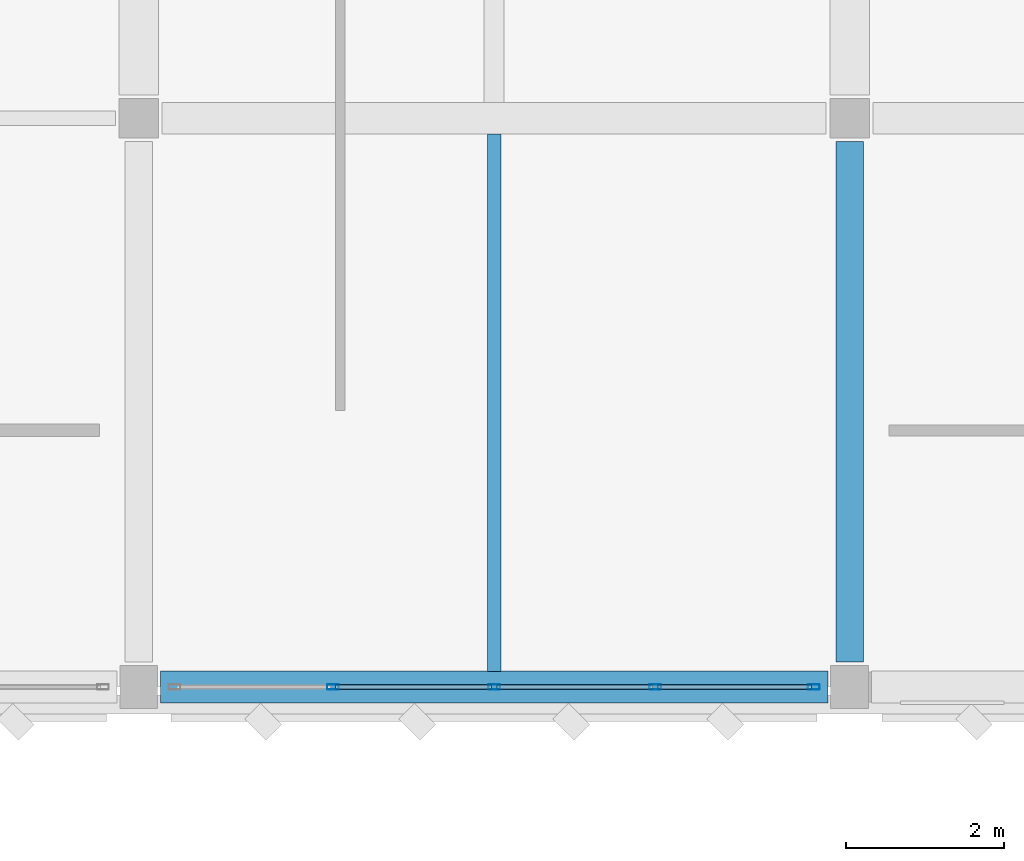
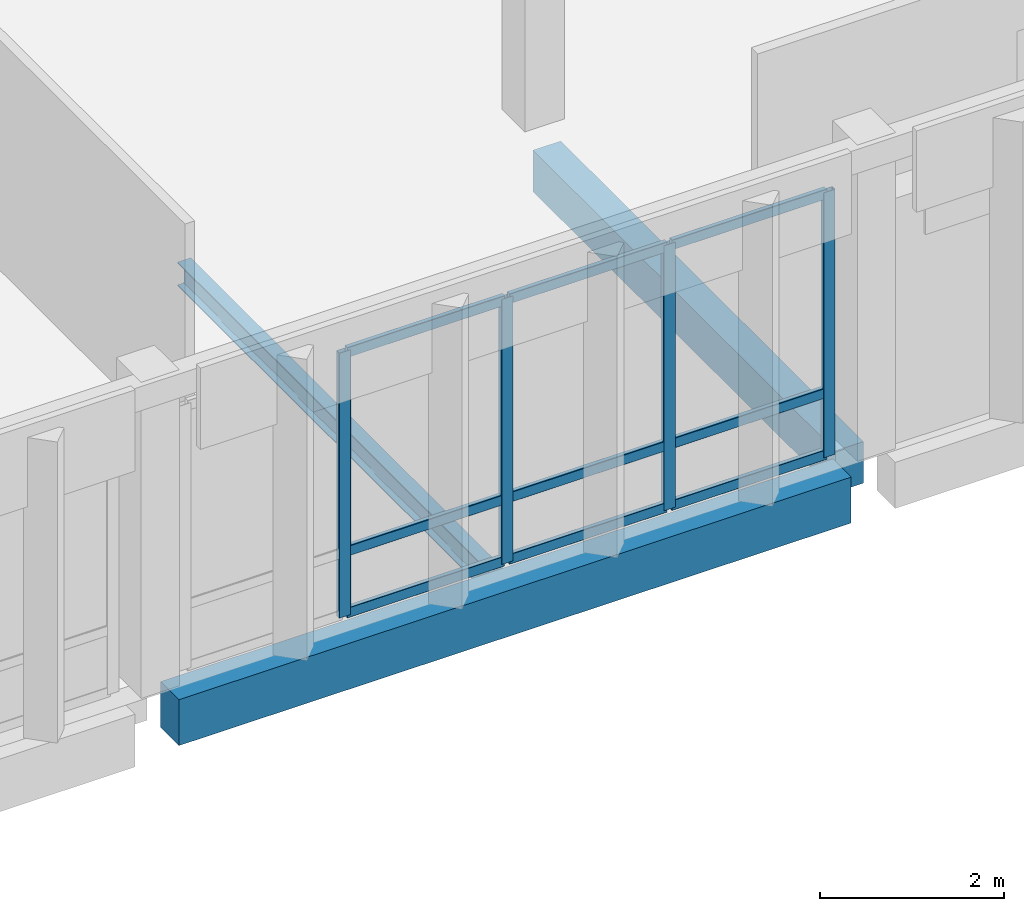
# One storey, part 35 of 72: 13 members, 3 beams, 1 element without a shape of its own.
"""IFC4 building model written with IfcOpenShell, lengths in metres."""

from ifc_helpers import new_model, si_unit, direction, frame, origin, origin_2d, place, context, subcontext, project, spatial, rectangle, hollow_rectangle, i_section, extrude, material, material_profile, profile_set, type_object, element, aggregate, save


model = new_model("IFC4")

# Units and contexts
model_context = context("Model", 3, precision=1e-05, world=origin(), true_north=direction((0.0, 1.0)))
body_context = subcontext(model_context, "Body", "Model", "MODEL_VIEW")
ifc_project = project(units=[si_unit("LENGTHUNIT", "METRE"), si_unit("AREAUNIT", "SQUARE_METRE"), si_unit("VOLUMEUNIT", "CUBIC_METRE"), si_unit("PLANEANGLEUNIT", "RADIAN"), si_unit("MASSUNIT", "GRAM", prefix="KILO")], contexts=[model_context])

# Site, building, storey
site_placement = place(None, origin())
site = spatial("IfcSite", under=ifc_project, at=site_placement, CompositionType="ELEMENT")
building_placement = place(site_placement, origin())
building = spatial("IfcBuilding", under=site, at=building_placement, Name="Lusvemor Sports Hall", CompositionType="ELEMENT")
storey_placement = place(building_placement, frame((0.0, 0.0, 15.0)))
storey = spatial("IfcBuildingStorey", under=building, at=storey_placement, Name="L03", CompositionType="ELEMENT", Elevation=15.0)

# Beam
ifc_material_1 = material(Name="Concrete C40/50", Category="concrete")
ifc_material_profile_1 = material_profile(ifc_material_1, rectangle(XDim=0.35009765625, YDim=0.550048828125, at=origin_2d()), Name="RC350x550")
ifc_profile_set_1 = profile_set([ifc_material_profile_1], Name="Concrete C40/50")
beam_type_1 = type_object("IfcBeamType", Name="BEAM_RC_550", PredefinedType="BEAM", material=ifc_profile_set_1)
beam_1_placement = place(storey_placement, frame((84.60009765625, 97.51611328125, -0.514892578125), z_axis=(0.0, 1.0, 0.0), x_axis=(-1.0, 0.0, 0.0)))
element("IfcBeam", 1, at=beam_1_placement, inside=storey, type_object=beam_type_1, Name="Beam L03 9:N-P", PredefinedType="BEAM", context=body_context, shape_type="SweptSolid", body=[
    extrude(rectangle(XDim=0.35009765625, YDim=0.550048828125, at=origin_2d()), origin(), (0.0, 0.0, 1.0), 6.587890625),
])

# Curtain wall, members
ifc_material_2 = material(Name="Thermally broken bronze-anodized aluminium", Category="aluminium")
curtain_wall_type = type_object("IfcCurtainWallType", Name="CW_WING_B", PredefinedType="NOTDEFINED", material=ifc_material_2)
curtain_wall_placement = place(storey_placement, origin())
curtain_wall = element("IfcCurtainWall", 2, at=curtain_wall_placement, inside=storey, type_object=curtain_wall_type, Name="Curtain Wall CW-L03-S-3-5", PredefinedType="NOTDEFINED")
ifc_material_3 = material(Name="Thermally broken bronze-anodized aluminium", Category="aluminium")
ifc_material_profile_2 = material_profile(ifc_material_3, hollow_rectangle(XDim=0.06494140625, YDim=0.14990234375, WallThickness=0.00390625, InnerFilletRadius=0.00390625, OuterFilletRadius=0.008056640625, at=origin_2d()), Name="CWMUL150x65x4")
ifc_profile_set_2 = profile_set([ifc_material_profile_2], Name="Thermally broken bronze-anodized aluminium")
member_type_1 = type_object("IfcMemberType", Name="CW_MUL_B", PredefinedType="MULLION", material=ifc_profile_set_2)
member_1_placement = place(storey_placement, frame((84.1474609375, 97.199951171875, 0.0), z_axis=(0.0, 0.0, 1.0), x_axis=(0.0, -1.0, 0.0)))
member_1 = element("IfcMember", 3, at=member_1_placement, type_object=member_type_1, Name="CW02 mullion 1", PredefinedType="MULLION", context=body_context, shape_type="SweptSolid", body=[
    extrude(hollow_rectangle(XDim=0.06494140625, YDim=0.14990234375, WallThickness=0.00390625, InnerFilletRadius=0.00390625, OuterFilletRadius=0.008056640625, at=origin_2d()), origin(), (0.0, 0.0, 1.0), 3.52001953125),
])
member_2_placement = place(storey_placement, frame((82.139892578125, 97.199951171875, 0.0), z_axis=(0.0, 0.0, 1.0), x_axis=(0.0, -1.0, 0.0)))
member_2 = element("IfcMember", 4, at=member_2_placement, type_object=member_type_1, Name="CW02 mullion 2", PredefinedType="MULLION", context=body_context, shape_type="SweptSolid", body=[
    extrude(hollow_rectangle(XDim=0.06494140625, YDim=0.14990234375, WallThickness=0.00390625, InnerFilletRadius=0.00390625, OuterFilletRadius=0.008056640625, at=origin_2d()), origin(), (0.0, 0.0, 1.0), 3.52001953125),
])
member_3_placement = place(storey_placement, frame((80.10009765625, 97.199951171875, 0.0), z_axis=(0.0, 0.0, 1.0), x_axis=(0.0, -1.0, 0.0)))
member_3 = element("IfcMember", 5, at=member_3_placement, type_object=member_type_1, Name="CW02 mullion 3", PredefinedType="MULLION", context=body_context, shape_type="SweptSolid", body=[
    extrude(hollow_rectangle(XDim=0.06494140625, YDim=0.14990234375, WallThickness=0.00390625, InnerFilletRadius=0.00390625, OuterFilletRadius=0.008056640625, at=origin_2d()), origin(), (0.0, 0.0, 1.0), 3.52001953125),
])
member_4_placement = place(storey_placement, frame((78.06005859375, 97.199951171875, 0.0), z_axis=(0.0, 0.0, 1.0), x_axis=(0.0, -1.0, 0.0)))
member_4 = element("IfcMember", 6, at=member_4_placement, type_object=member_type_1, Name="CW02 mullion 4", PredefinedType="MULLION", context=body_context, shape_type="SweptSolid", body=[
    extrude(hollow_rectangle(XDim=0.06494140625, YDim=0.14990234375, WallThickness=0.00390625, InnerFilletRadius=0.00390625, OuterFilletRadius=0.008056640625, at=origin_2d()), origin(), (0.0, 0.0, 1.0), 3.52001953125),
])
ifc_material_4 = material(Name="Thermally broken bronze-anodized aluminium", Category="aluminium")
ifc_material_profile_3 = material_profile(ifc_material_4, hollow_rectangle(XDim=0.06005859375, YDim=0.135009765625, WallThickness=0.00390625, InnerFilletRadius=0.00390625, OuterFilletRadius=0.008056640625, at=origin_2d()), Name="CWTRN135x60x4")
ifc_profile_set_3 = profile_set([ifc_material_profile_3], Name="Thermally broken bronze-anodized aluminium")
member_type_2 = type_object("IfcMemberType", Name="CW_TRN_B", PredefinedType="USERDEFINED", material=ifc_profile_set_3)
member_5_placement = place(storey_placement, frame((84.114990234375, 97.199951171875, 0.030029296875), z_axis=(-1.0, 0.0, 0.0), x_axis=(0.0, -1.0, 0.0)))
member_5 = element("IfcMember", 7, at=member_5_placement, type_object=member_type_2, Name="CW02 transom 1.1", ObjectType="TRANSOM", PredefinedType="USERDEFINED", context=body_context, shape_type="SweptSolid", body=[
    extrude(hollow_rectangle(XDim=0.06005859375, YDim=0.135009765625, WallThickness=0.00390625, InnerFilletRadius=0.00390625, OuterFilletRadius=0.008056640625, at=origin_2d()), origin(), (0.0, 0.0, 1.0), 1.9423828125),
])
member_6_placement = place(storey_placement, frame((84.114990234375, 97.199951171875, 0.85009765625), z_axis=(-1.0, 0.0, 0.0), x_axis=(0.0, -1.0, 0.0)))
member_6 = element("IfcMember", 8, at=member_6_placement, type_object=member_type_2, Name="CW02 transom 1.2", ObjectType="TRANSOM", PredefinedType="USERDEFINED", context=body_context, shape_type="SweptSolid", body=[
    extrude(hollow_rectangle(XDim=0.06005859375, YDim=0.135009765625, WallThickness=0.00390625, InnerFilletRadius=0.00390625, OuterFilletRadius=0.008056640625, at=origin_2d()), origin(), (0.0, 0.0, 1.0), 1.9423828125),
])
member_7_placement = place(storey_placement, frame((84.114990234375, 97.199951171875, 3.489990234375), z_axis=(-1.0, 0.0, 0.0), x_axis=(0.0, -1.0, 0.0)))
member_7 = element("IfcMember", 9, at=member_7_placement, type_object=member_type_2, Name="CW02 transom 1.3", ObjectType="TRANSOM", PredefinedType="USERDEFINED", context=body_context, shape_type="SweptSolid", body=[
    extrude(hollow_rectangle(XDim=0.06005859375, YDim=0.135009765625, WallThickness=0.00390625, InnerFilletRadius=0.00390625, OuterFilletRadius=0.008056640625, at=origin_2d()), origin(), (0.0, 0.0, 1.0), 1.9423828125),
])
member_8_placement = place(storey_placement, frame((82.107421875, 97.199951171875, 0.030029296875), z_axis=(-1.0, 0.0, 0.0), x_axis=(0.0, -1.0, 0.0)))
member_8 = element("IfcMember", 10, at=member_8_placement, type_object=member_type_2, Name="CW02 transom 2.1", ObjectType="TRANSOM", PredefinedType="USERDEFINED", context=body_context, shape_type="SweptSolid", body=[
    extrude(hollow_rectangle(XDim=0.06005859375, YDim=0.135009765625, WallThickness=0.00390625, InnerFilletRadius=0.00390625, OuterFilletRadius=0.008056640625, at=origin_2d()), origin(), (0.0, 0.0, 1.0), 1.974853515625),
])
member_9_placement = place(storey_placement, frame((82.107421875, 97.199951171875, 0.85009765625), z_axis=(-1.0, 0.0, 0.0), x_axis=(0.0, -1.0, 0.0)))
member_9 = element("IfcMember", 11, at=member_9_placement, type_object=member_type_2, Name="CW02 transom 2.2", ObjectType="TRANSOM", PredefinedType="USERDEFINED", context=body_context, shape_type="SweptSolid", body=[
    extrude(hollow_rectangle(XDim=0.06005859375, YDim=0.135009765625, WallThickness=0.00390625, InnerFilletRadius=0.00390625, OuterFilletRadius=0.008056640625, at=origin_2d()), origin(), (0.0, 0.0, 1.0), 1.974853515625),
])
member_10_placement = place(storey_placement, frame((82.107421875, 97.199951171875, 3.489990234375), z_axis=(-1.0, 0.0, 0.0), x_axis=(0.0, -1.0, 0.0)))
member_10 = element("IfcMember", 12, at=member_10_placement, type_object=member_type_2, Name="CW02 transom 2.3", ObjectType="TRANSOM", PredefinedType="USERDEFINED", context=body_context, shape_type="SweptSolid", body=[
    extrude(hollow_rectangle(XDim=0.06005859375, YDim=0.135009765625, WallThickness=0.00390625, InnerFilletRadius=0.00390625, OuterFilletRadius=0.008056640625, at=origin_2d()), origin(), (0.0, 0.0, 1.0), 1.974853515625),
])
member_11_placement = place(storey_placement, frame((80.0673828125, 97.199951171875, 0.030029296875), z_axis=(-1.0, 0.0, 0.0), x_axis=(0.0, -1.0, 0.0)))
member_11 = element("IfcMember", 13, at=member_11_placement, type_object=member_type_2, Name="CW02 transom 3.1", ObjectType="TRANSOM", PredefinedType="USERDEFINED", context=body_context, shape_type="SweptSolid", body=[
    extrude(hollow_rectangle(XDim=0.06005859375, YDim=0.135009765625, WallThickness=0.00390625, InnerFilletRadius=0.00390625, OuterFilletRadius=0.008056640625, at=origin_2d()), origin(), (0.0, 0.0, 1.0), 1.974853515625),
])
member_12_placement = place(storey_placement, frame((80.0673828125, 97.199951171875, 0.85009765625), z_axis=(-1.0, 0.0, 0.0), x_axis=(0.0, -1.0, 0.0)))
member_12 = element("IfcMember", 14, at=member_12_placement, type_object=member_type_2, Name="CW02 transom 3.2", ObjectType="TRANSOM", PredefinedType="USERDEFINED", context=body_context, shape_type="SweptSolid", body=[
    extrude(hollow_rectangle(XDim=0.06005859375, YDim=0.135009765625, WallThickness=0.00390625, InnerFilletRadius=0.00390625, OuterFilletRadius=0.008056640625, at=origin_2d()), origin(), (0.0, 0.0, 1.0), 1.974853515625),
])
member_13_placement = place(storey_placement, frame((80.0673828125, 97.199951171875, 3.489990234375), z_axis=(-1.0, 0.0, 0.0), x_axis=(0.0, -1.0, 0.0)))
member_13 = element("IfcMember", 15, at=member_13_placement, type_object=member_type_2, Name="CW02 transom 3.3", ObjectType="TRANSOM", PredefinedType="USERDEFINED", context=body_context, shape_type="SweptSolid", body=[
    extrude(hollow_rectangle(XDim=0.06005859375, YDim=0.135009765625, WallThickness=0.00390625, InnerFilletRadius=0.00390625, OuterFilletRadius=0.008056640625, at=origin_2d()), origin(), (0.0, 0.0, 1.0), 1.974853515625),
])
aggregate(curtain_wall, [member_1, member_2, member_3, member_4, member_5, member_6, member_7, member_8, member_9, member_10, member_11, member_12, member_13])

# Beams
ifc_material_5 = material(Name="Steel S355", Category="steel")
ifc_material_profile_4 = material_profile(ifc_material_5, i_section(OverallWidth=0.1669921875, OverallDepth=0.31689453125, WebThickness=0.007568359375, FlangeThickness=0.01318359375, FilletRadius=0.014892578125, at=origin_2d()), Name="W310x52.0")
ifc_profile_set_4 = profile_set([ifc_material_profile_4], Name="Steel S355")
beam_type_2 = type_object("IfcBeamType", Name="JOIST_ST_310M", PredefinedType="JOIST", material=ifc_profile_set_4)
beam_2_placement = place(storey_placement, frame((80.10009765625, 97.39599609375, -0.402587890625), z_axis=(0.0, 1.0, 0.0), x_axis=(-1.0, 0.0, 0.0)))
element("IfcBeam", 16, at=beam_2_placement, inside=storey, type_object=beam_type_2, Name="Secondary Joist L03 8-9/N-P #1", PredefinedType="JOIST", context=body_context, shape_type="SweptSolid", body=[
    extrude(i_section(OverallWidth=0.1669921875, OverallDepth=0.31689453125, WebThickness=0.007568359375, FlangeThickness=0.01318359375, FilletRadius=0.014892578125, at=origin_2d()), origin(), (0.0, 0.0, 1.0), 6.80810546875),
])
ifc_material_6 = material(Name="Concrete C40/50", Category="concrete")
ifc_material_profile_5 = material_profile(ifc_material_6, rectangle(XDim=0.39990234375, YDim=0.610107421875, at=origin_2d()), Name="RC400x610")
ifc_profile_set_5 = profile_set([ifc_material_profile_5], Name="Concrete C40/50")
beam_type_3 = type_object("IfcBeamType", Name="SPAND_EXT_650", PredefinedType="SPANDREL", material=ifc_profile_set_5)
beam_3_placement = place(storey_placement, frame((75.8759765625, 97.199951171875, -0.544921875), z_axis=(1.0, 0.0, 0.0), x_axis=(0.0, 1.0, 0.0)))
element("IfcBeam", 17, at=beam_3_placement, inside=storey, type_object=beam_type_3, Name="Beam L03 N:8-9", PredefinedType="SPANDREL", context=body_context, shape_type="SweptSolid", body=[
    extrude(rectangle(XDim=0.39990234375, YDim=0.610107421875, at=origin_2d()), origin(), (0.0, 0.0, 1.0), 8.447998046875),
])

save(model, "model.ifc")
